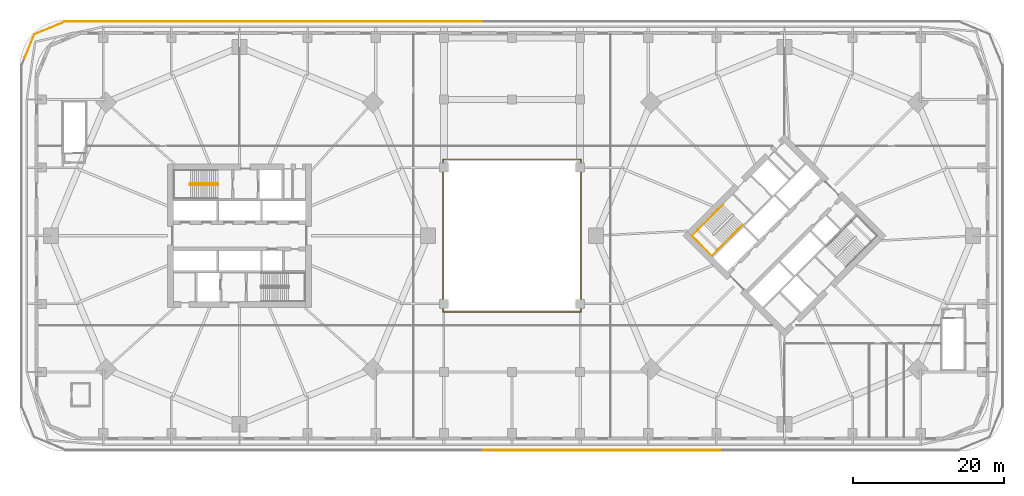
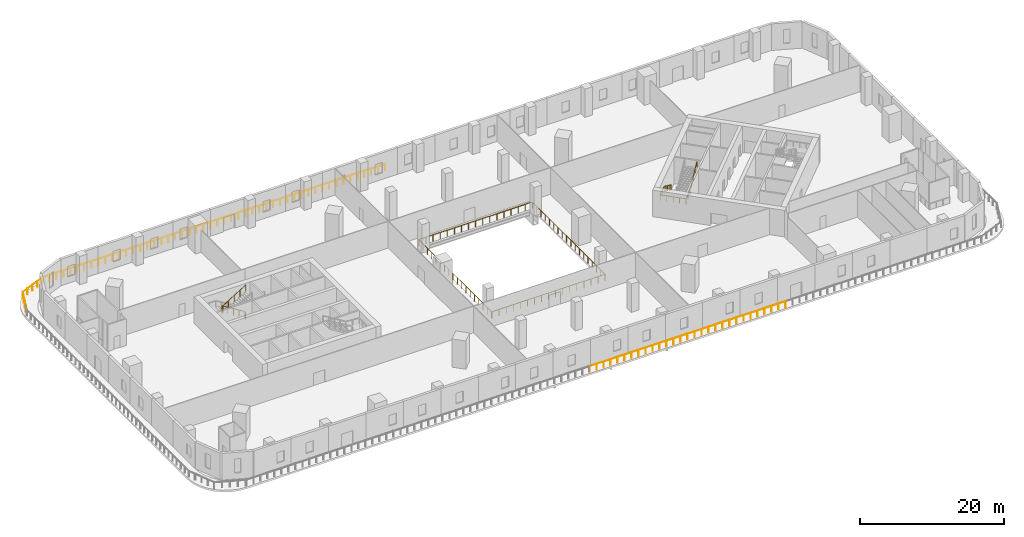
# One storey, part 14 of 16: 15 railings.
"""IFC4 building model written with IfcOpenShell, lengths in metres."""

from ifc_helpers import new_model, si_unit, direction, frame, origin, origin_2d, place, context, subcontext, project, spatial, circle, extrude, material, type_object, element, save


model = new_model("IFC4")

# Units and contexts
model_context = context("Model", 3, precision=1e-05, world=origin(), true_north=direction((0.0, 1.0)))
body_context = subcontext(model_context, "Body", "Model", "MODEL_VIEW")
ifc_project = project(units=[si_unit("LENGTHUNIT", "METRE"), si_unit("AREAUNIT", "SQUARE_METRE"), si_unit("VOLUMEUNIT", "CUBIC_METRE"), si_unit("PLANEANGLEUNIT", "RADIAN"), si_unit("MASSUNIT", "GRAM", prefix="KILO")], contexts=[model_context])

# Site, building, storey
site_placement = place(None, origin())
site = spatial("IfcSite", under=ifc_project, at=site_placement, CompositionType="ELEMENT")
building_placement = place(site_placement, origin())
building = spatial("IfcBuilding", under=site, at=building_placement, Name="Ogive Gate Towers", CompositionType="ELEMENT")
storey_placement = place(building_placement, frame((0.0, 0.0, 22.800048828125)))
storey = spatial("IfcBuildingStorey", under=building, at=storey_placement, Name="L04", CompositionType="ELEMENT", Elevation=22.800048828125)

# Railings
ifc_material_1 = material(Name="Stainless steel", Category="steel")
railing_type_1 = type_object("IfcRailingType", Name="Guard 1100", PredefinedType="GUARDRAIL", material=ifc_material_1)
for number, where, name in (
    (1, (-3.9873046875, 28.300048828125, 0.0), "Terrace guard"),
    (2, (-11.84619140625, 28.300048828125, 0.0), "Terrace guard"),
):
    element("IfcRailing", number, at=place(storey_placement, frame(where)), inside=storey, type_object=railing_type_1, Name=name, PredefinedType="GUARDRAIL", context=body_context, shape_type="SweptSolid", body=[
        extrude(circle(Radius=0.02392578125, at=origin_2d()), frame((0.0, 0.0, 1.076171875), z_axis=(-1.0, 0.0, 0.0), x_axis=(0.0, -1.0, 0.0)), (0.0, 0.0, 1.0), 7.808837890625),
        extrude(circle(Radius=0.02099609375, at=origin_2d()), origin(), (0.0, 0.0, 1.0), 1.052001953125),
        extrude(circle(Radius=0.02099609375, at=origin_2d()), frame((-1.115478515625, 0.0, 0.0)), (0.0, 0.0, 1.0), 1.052001953125),
        extrude(circle(Radius=0.02099609375, at=origin_2d()), frame((-2.231201171875, 0.0, 0.0)), (0.0, 0.0, 1.0), 1.052001953125),
        extrude(circle(Radius=0.02099609375, at=origin_2d()), frame((-3.3466796875, 0.0, 0.0)), (0.0, 0.0, 1.0), 1.052001953125),
        extrude(circle(Radius=0.02099609375, at=origin_2d()), frame((-4.462158203125, 0.0, 0.0)), (0.0, 0.0, 1.0), 1.052001953125),
        extrude(circle(Radius=0.02099609375, at=origin_2d()), frame((-5.57763671875, 0.0, 0.0)), (0.0, 0.0, 1.0), 1.052001953125),
        extrude(circle(Radius=0.02099609375, at=origin_2d()), frame((-6.693359375, 0.0, 0.0)), (0.0, 0.0, 1.0), 1.052001953125),
        extrude(circle(Radius=0.02099609375, at=origin_2d()), frame((-7.808837890625, 0.0, 0.0)), (0.0, 0.0, 1.0), 1.052001953125),
    ])
railing_1_placement = place(storey_placement, frame((-19.705078125, 28.300048828125, 0.0)))
element("IfcRailing", 3, at=railing_1_placement, inside=storey, type_object=railing_type_1, Name="Terrace guard", PredefinedType="GUARDRAIL", context=body_context, shape_type="SweptSolid", body=[
    extrude(circle(Radius=0.02392578125, at=origin_2d()), frame((0.0, 0.0, 1.076171875), z_axis=(-1.0, 0.0, 0.0), x_axis=(0.0, -1.0, 0.0)), (0.0, 0.0, 1.0), 7.80908203125),
    extrude(circle(Radius=0.02099609375, at=origin_2d()), origin(), (0.0, 0.0, 1.0), 1.052001953125),
    extrude(circle(Radius=0.02099609375, at=origin_2d()), frame((-1.115478515625, 0.0, 0.0)), (0.0, 0.0, 1.0), 1.052001953125),
    extrude(circle(Radius=0.02099609375, at=origin_2d()), frame((-2.231201171875, 0.0, 0.0)), (0.0, 0.0, 1.0), 1.052001953125),
    extrude(circle(Radius=0.02099609375, at=origin_2d()), frame((-3.3466796875, 0.0, 0.0)), (0.0, 0.0, 1.0), 1.052001953125),
    extrude(circle(Radius=0.02099609375, at=origin_2d()), frame((-4.46240234375, 0.0, 0.0)), (0.0, 0.0, 1.0), 1.052001953125),
    extrude(circle(Radius=0.02099609375, at=origin_2d()), frame((-5.577880859375, 0.0, 0.0)), (0.0, 0.0, 1.0), 1.052001953125),
    extrude(circle(Radius=0.02099609375, at=origin_2d()), frame((-6.693603515625, 0.0, 0.0)), (0.0, 0.0, 1.0), 1.052001953125),
    extrude(circle(Radius=0.02099609375, at=origin_2d()), frame((-7.80908203125, 0.0, 0.0)), (0.0, 0.0, 1.0), 1.052001953125),
])
for number, where, name in (
    (4, (-27.564208984375, 28.300048828125, 0.0), "Terrace guard"),
    (5, (-35.423095703125, 28.300048828125, 0.0), "Terrace guard"),
):
    element("IfcRailing", number, at=place(storey_placement, frame(where)), inside=storey, type_object=railing_type_1, Name=name, PredefinedType="GUARDRAIL", context=body_context, shape_type="SweptSolid", body=[
        extrude(circle(Radius=0.02392578125, at=origin_2d()), frame((0.0, 0.0, 1.076171875), z_axis=(-1.0, 0.0, 0.0), x_axis=(0.0, -1.0, 0.0)), (0.0, 0.0, 1.0), 7.808837890625),
        extrude(circle(Radius=0.02099609375, at=origin_2d()), origin(), (0.0, 0.0, 1.0), 1.052001953125),
        extrude(circle(Radius=0.02099609375, at=origin_2d()), frame((-1.115478515625, 0.0, 0.0)), (0.0, 0.0, 1.0), 1.052001953125),
        extrude(circle(Radius=0.02099609375, at=origin_2d()), frame((-2.231201171875, 0.0, 0.0)), (0.0, 0.0, 1.0), 1.052001953125),
        extrude(circle(Radius=0.02099609375, at=origin_2d()), frame((-3.3466796875, 0.0, 0.0)), (0.0, 0.0, 1.0), 1.052001953125),
        extrude(circle(Radius=0.02099609375, at=origin_2d()), frame((-4.462158203125, 0.0, 0.0)), (0.0, 0.0, 1.0), 1.052001953125),
        extrude(circle(Radius=0.02099609375, at=origin_2d()), frame((-5.57763671875, 0.0, 0.0)), (0.0, 0.0, 1.0), 1.052001953125),
        extrude(circle(Radius=0.02099609375, at=origin_2d()), frame((-6.693359375, 0.0, 0.0)), (0.0, 0.0, 1.0), 1.052001953125),
        extrude(circle(Radius=0.02099609375, at=origin_2d()), frame((-7.808837890625, 0.0, 0.0)), (0.0, 0.0, 1.0), 1.052001953125),
    ])
railing_2_placement = place(storey_placement, frame((-43.281982421875, 28.300048828125, 0.0)))
element("IfcRailing", 6, at=railing_2_placement, inside=storey, type_object=railing_type_1, Name="Terrace guard", PredefinedType="GUARDRAIL", context=body_context, shape_type="SweptSolid", body=[
    extrude(circle(Radius=0.02392578125, at=origin_2d()), frame((0.0, 0.0, 1.076171875), z_axis=(-1.0, 0.0, 0.0), x_axis=(0.0, -1.0, 0.0)), (0.0, 0.0, 1.0), 7.80908203125),
    extrude(circle(Radius=0.02099609375, at=origin_2d()), origin(), (0.0, 0.0, 1.0), 1.052001953125),
    extrude(circle(Radius=0.02099609375, at=origin_2d()), frame((-1.115478515625, 0.0, 0.0)), (0.0, 0.0, 1.0), 1.052001953125),
    extrude(circle(Radius=0.02099609375, at=origin_2d()), frame((-2.231201171875, 0.0, 0.0)), (0.0, 0.0, 1.0), 1.052001953125),
    extrude(circle(Radius=0.02099609375, at=origin_2d()), frame((-3.3466796875, 0.0, 0.0)), (0.0, 0.0, 1.0), 1.052001953125),
    extrude(circle(Radius=0.02099609375, at=origin_2d()), frame((-4.46240234375, 0.0, 0.0)), (0.0, 0.0, 1.0), 1.052001953125),
    extrude(circle(Radius=0.02099609375, at=origin_2d()), frame((-5.577880859375, 0.0, 0.0)), (0.0, 0.0, 1.0), 1.052001953125),
    extrude(circle(Radius=0.02099609375, at=origin_2d()), frame((-6.693603515625, 0.0, 0.0)), (0.0, 0.0, 1.0), 1.052001953125),
    extrude(circle(Radius=0.02099609375, at=origin_2d()), frame((-7.80908203125, 0.0, 0.0)), (0.0, 0.0, 1.0), 1.052001953125),
])
railing_3_placement = place(storey_placement, frame((-51.14111328125, 28.300048828125, 0.0)))
element("IfcRailing", 7, at=railing_3_placement, inside=storey, type_object=railing_type_1, Name="Terrace guard", PredefinedType="GUARDRAIL", context=body_context, shape_type="SweptSolid", body=[
    extrude(circle(Radius=0.02392578125, at=origin_2d()), frame((0.0, 0.0, 1.076171875), z_axis=(-1.0, 0.0, 0.0), x_axis=(0.0, -1.0, 0.0)), (0.0, 0.0, 1.0), 7.808837890625),
    extrude(circle(Radius=0.02099609375, at=origin_2d()), origin(), (0.0, 0.0, 1.0), 1.052001953125),
    extrude(circle(Radius=0.02099609375, at=origin_2d()), frame((-1.115478515625, 0.0, 0.0)), (0.0, 0.0, 1.0), 1.052001953125),
    extrude(circle(Radius=0.02099609375, at=origin_2d()), frame((-2.231201171875, 0.0, 0.0)), (0.0, 0.0, 1.0), 1.052001953125),
    extrude(circle(Radius=0.02099609375, at=origin_2d()), frame((-3.3466796875, 0.0, 0.0)), (0.0, 0.0, 1.0), 1.052001953125),
    extrude(circle(Radius=0.02099609375, at=origin_2d()), frame((-4.462158203125, 0.0, 0.0)), (0.0, 0.0, 1.0), 1.052001953125),
    extrude(circle(Radius=0.02099609375, at=origin_2d()), frame((-5.57763671875, 0.0, 0.0)), (0.0, 0.0, 1.0), 1.052001953125),
    extrude(circle(Radius=0.02099609375, at=origin_2d()), frame((-6.693359375, 0.0, 0.0)), (0.0, 0.0, 1.0), 1.052001953125),
    extrude(circle(Radius=0.02099609375, at=origin_2d()), frame((-7.808837890625, 0.0, 0.0)), (0.0, 0.0, 1.0), 1.052001953125),
])
railing_4_placement = place(storey_placement, frame((-59.0, 28.300048828125, 0.0)))
element("IfcRailing", 8, at=railing_4_placement, inside=storey, type_object=railing_type_1, Name="Terrace guard", PredefinedType="GUARDRAIL", context=body_context, shape_type="SweptSolid", body=[
    extrude(circle(Radius=0.02392578125, at=origin_2d()), frame((0.0, 0.0, 1.076171875), z_axis=(-0.923886797369, -0.382665892976, 0.0), x_axis=(0.382665892976, -0.923886797369, 0.0)), (0.0, 0.0, 1.0), 4.439208984375),
    extrude(circle(Radius=0.02392578125, at=origin_2d()), frame((-4.101318359375, -1.69873046875, 1.076171875), z_axis=(-0.382654643892, -0.923891456562, 0.0), x_axis=(0.923891456562, -0.382654643892, 0.0)), (0.0, 0.0, 1.0), 3.3701171875),
    extrude(circle(Radius=0.02099609375, at=origin_2d()), origin(), (0.0, 0.0, 1.0), 1.052001953125),
    extrude(circle(Radius=0.02099609375, at=origin_2d()), frame((-1.025390625, -0.4248046875, 0.0)), (0.0, 0.0, 1.0), 1.052001953125),
    extrude(circle(Radius=0.02099609375, at=origin_2d()), frame((-2.05078125, -0.849365234375, 0.0)), (0.0, 0.0, 1.0), 1.052001953125),
    extrude(circle(Radius=0.02099609375, at=origin_2d()), frame((-3.075927734375, -1.27392578125, 0.0)), (0.0, 0.0, 1.0), 1.052001953125),
    extrude(circle(Radius=0.02099609375, at=origin_2d()), frame((-4.101318359375, -1.69873046875, 0.0)), (0.0, 0.0, 1.0), 1.052001953125),
    extrude(circle(Radius=0.02099609375, at=origin_2d()), frame((-4.53125, -2.736572265625, 0.0)), (0.0, 0.0, 1.0), 1.052001953125),
    extrude(circle(Radius=0.02099609375, at=origin_2d()), frame((-4.9609375, -3.7744140625, 0.0)), (0.0, 0.0, 1.0), 1.052001953125),
    extrude(circle(Radius=0.02099609375, at=origin_2d()), frame((-5.390869140625, -4.812255859375, 0.0)), (0.0, 0.0, 1.0), 1.052001953125),
])
railing_5_placement = place(storey_placement, frame((-3.871826171875, -28.300048828125, 0.0)))
element("IfcRailing", 9, at=railing_5_placement, inside=storey, type_object=railing_type_1, Name="Terrace guard", PredefinedType="GUARDRAIL", context=body_context, shape_type="SweptSolid", body=[
    extrude(circle(Radius=0.02392578125, at=origin_2d()), frame((0.0, 0.0, 1.076171875), z_axis=(1.0, 0.0, 0.0), x_axis=(0.0, 1.0, 0.0)), (0.0, 0.0, 1.0), 7.80908203125),
    extrude(circle(Radius=0.02099609375, at=origin_2d()), origin(), (0.0, 0.0, 1.0), 1.052001953125),
    extrude(circle(Radius=0.02099609375, at=origin_2d()), frame((1.115478515625, 0.0, 0.0)), (0.0, 0.0, 1.0), 1.052001953125),
    extrude(circle(Radius=0.02099609375, at=origin_2d()), frame((2.231201171875, 0.0, 0.0)), (0.0, 0.0, 1.0), 1.052001953125),
    extrude(circle(Radius=0.02099609375, at=origin_2d()), frame((3.3466796875, 0.0, 0.0)), (0.0, 0.0, 1.0), 1.052001953125),
    extrude(circle(Radius=0.02099609375, at=origin_2d()), frame((4.46240234375, 0.0, 0.0)), (0.0, 0.0, 1.0), 1.052001953125),
    extrude(circle(Radius=0.02099609375, at=origin_2d()), frame((5.577880859375, 0.0, 0.0)), (0.0, 0.0, 1.0), 1.052001953125),
    extrude(circle(Radius=0.02099609375, at=origin_2d()), frame((6.693603515625, 0.0, 0.0)), (0.0, 0.0, 1.0), 1.052001953125),
    extrude(circle(Radius=0.02099609375, at=origin_2d()), frame((7.80908203125, 0.0, 0.0)), (0.0, 0.0, 1.0), 1.052001953125),
])
for number, where, name in (
    (10, (3.9873046875, -28.300048828125, 0.0), "Terrace guard"),
    (11, (11.84619140625, -28.300048828125, 0.0), "Terrace guard"),
):
    element("IfcRailing", number, at=place(storey_placement, frame(where)), inside=storey, type_object=railing_type_1, Name=name, PredefinedType="GUARDRAIL", context=body_context, shape_type="SweptSolid", body=[
        extrude(circle(Radius=0.02392578125, at=origin_2d()), frame((0.0, 0.0, 1.076171875), z_axis=(1.0, 0.0, 0.0), x_axis=(0.0, 1.0, 0.0)), (0.0, 0.0, 1.0), 7.808837890625),
        extrude(circle(Radius=0.02099609375, at=origin_2d()), origin(), (0.0, 0.0, 1.0), 1.052001953125),
        extrude(circle(Radius=0.02099609375, at=origin_2d()), frame((1.115478515625, 0.0, 0.0)), (0.0, 0.0, 1.0), 1.052001953125),
        extrude(circle(Radius=0.02099609375, at=origin_2d()), frame((2.231201171875, 0.0, 0.0)), (0.0, 0.0, 1.0), 1.052001953125),
        extrude(circle(Radius=0.02099609375, at=origin_2d()), frame((3.3466796875, 0.0, 0.0)), (0.0, 0.0, 1.0), 1.052001953125),
        extrude(circle(Radius=0.02099609375, at=origin_2d()), frame((4.462158203125, 0.0, 0.0)), (0.0, 0.0, 1.0), 1.052001953125),
        extrude(circle(Radius=0.02099609375, at=origin_2d()), frame((5.57763671875, 0.0, 0.0)), (0.0, 0.0, 1.0), 1.052001953125),
        extrude(circle(Radius=0.02099609375, at=origin_2d()), frame((6.693359375, 0.0, 0.0)), (0.0, 0.0, 1.0), 1.052001953125),
        extrude(circle(Radius=0.02099609375, at=origin_2d()), frame((7.808837890625, 0.0, 0.0)), (0.0, 0.0, 1.0), 1.052001953125),
    ])
railing_6_placement = place(storey_placement, frame((19.705078125, -28.300048828125, 0.0)))
element("IfcRailing", 12, at=railing_6_placement, inside=storey, type_object=railing_type_1, Name="Terrace guard", PredefinedType="GUARDRAIL", context=body_context, shape_type="SweptSolid", body=[
    extrude(circle(Radius=0.02392578125, at=origin_2d()), frame((0.0, 0.0, 1.076171875), z_axis=(1.0, 0.0, 0.0), x_axis=(0.0, 1.0, 0.0)), (0.0, 0.0, 1.0), 7.80908203125),
    extrude(circle(Radius=0.02099609375, at=origin_2d()), origin(), (0.0, 0.0, 1.0), 1.052001953125),
    extrude(circle(Radius=0.02099609375, at=origin_2d()), frame((1.115478515625, 0.0, 0.0)), (0.0, 0.0, 1.0), 1.052001953125),
    extrude(circle(Radius=0.02099609375, at=origin_2d()), frame((2.231201171875, 0.0, 0.0)), (0.0, 0.0, 1.0), 1.052001953125),
    extrude(circle(Radius=0.02099609375, at=origin_2d()), frame((3.3466796875, 0.0, 0.0)), (0.0, 0.0, 1.0), 1.052001953125),
    extrude(circle(Radius=0.02099609375, at=origin_2d()), frame((4.46240234375, 0.0, 0.0)), (0.0, 0.0, 1.0), 1.052001953125),
    extrude(circle(Radius=0.02099609375, at=origin_2d()), frame((5.577880859375, 0.0, 0.0)), (0.0, 0.0, 1.0), 1.052001953125),
    extrude(circle(Radius=0.02099609375, at=origin_2d()), frame((6.693603515625, 0.0, 0.0)), (0.0, 0.0, 1.0), 1.052001953125),
    extrude(circle(Radius=0.02099609375, at=origin_2d()), frame((7.80908203125, 0.0, 0.0)), (0.0, 0.0, 1.0), 1.052001953125),
])
railing_type_2 = type_object("IfcRailingType", Name="Stair guard 1100", PredefinedType="GUARDRAIL", material=ifc_material_1)
railing_7_placement = place(storey_placement, frame((-38.81494140625, 6.860107421875, 0.0)))
element("IfcRailing", 13, at=railing_7_placement, inside=storey, type_object=railing_type_2, Name="L04 ST1 stair guard 1", PredefinedType="GUARDRAIL", context=body_context, shape_type="SweptSolid", body=[
    extrude(circle(Radius=0.02392578125, at=origin_2d()), frame((0.0, 0.0, 1.076171875), z_axis=(0.0, -1.0, 0.0), x_axis=(1.0, 0.0, 0.0)), (0.0, 0.0, 1.0), 0.14501953125),
    extrude(circle(Radius=0.02392578125, at=origin_2d()), frame((0.0, -0.14501953125, 1.076171875), z_axis=(-0.189390444499, 0.737236949804, 0.648546790429), x_axis=(-0.968551454522, -0.24881334358, 0.0)), (0.0, 0.0, 1.0), 0.26416015625),
    extrude(circle(Radius=0.02392578125, at=origin_2d()), frame((-0.050048828125, 0.0498046875, 1.24755859375), z_axis=(-0.852850264322, 0.0, 0.5221555579), x_axis=(0.0, -1.0, 0.0)), (0.0, 0.0, 1.0), 4.267822265625),
    extrude(circle(Radius=0.02392578125, at=origin_2d()), frame((-3.68994140625, 0.0498046875, 3.47607421875), z_axis=(-0.708833529934, -0.705375805398, 0.0), x_axis=(0.705375805398, -0.708833529934, 0.0)), (0.0, 0.0, 1.0), 0.070556640625),
    extrude(circle(Radius=0.02392578125, at=origin_2d()), frame((-3.739990234375, 0.0, 3.47607421875), z_axis=(0.0, -1.0, 0.0), x_axis=(1.0, 0.0, 0.0)), (0.0, 0.0, 1.0), 0.14501953125),
    extrude(circle(Radius=0.02392578125, at=origin_2d()), frame((-3.739990234375, -0.14501953125, 3.47607421875), z_axis=(0.269911200495, -0.269911200495, 0.924281281696), x_axis=(0.707106781187, 0.707106781187, 0.0)), (0.0, 0.0, 1.0), 0.185546875),
    extrude(circle(Radius=0.02392578125, at=origin_2d()), frame((-3.68994140625, -0.195068359375, 3.6474609375), z_axis=(0.852824790078, 0.0, 0.522197163366), x_axis=(0.0, 1.0, 0.0)), (0.0, 0.0, 1.0), 4.26806640625),
    extrude(circle(Radius=0.02099609375, at=origin_2d()), origin(), (0.0, 0.0, 1.0), 1.052001953125),
    extrude(circle(Radius=0.02099609375, at=origin_2d()), frame((0.0, -0.14501953125, 0.0)), (0.0, 0.0, 1.0), 1.052001953125),
    extrude(circle(Radius=0.02099609375, at=origin_2d()), frame((-0.050048828125, 0.0498046875, 0.17138671875)), (0.0, 0.0, 1.0), 1.052001953125),
    extrude(circle(Radius=0.02099609375, at=origin_2d()), frame((-0.9599609375, 0.0498046875, 0.728515625)), (0.0, 0.0, 1.0), 1.052001953125),
    extrude(circle(Radius=0.02099609375, at=origin_2d()), frame((-1.8701171875, 0.0498046875, 1.28564453125)), (0.0, 0.0, 1.0), 1.052001953125),
    extrude(circle(Radius=0.02099609375, at=origin_2d()), frame((-2.780029296875, 0.0498046875, 1.8427734375)), (0.0, 0.0, 1.0), 1.052001953125),
    extrude(circle(Radius=0.02099609375, at=origin_2d()), frame((-3.68994140625, 0.0498046875, 2.39990234375)), (0.0, 0.0, 1.0), 1.052001953125),
    extrude(circle(Radius=0.02099609375, at=origin_2d()), frame((-3.739990234375, 0.0, 2.39990234375)), (0.0, 0.0, 1.0), 1.052001953125),
    extrude(circle(Radius=0.02099609375, at=origin_2d()), frame((-3.739990234375, -0.14501953125, 2.39990234375)), (0.0, 0.0, 1.0), 1.052001953125),
    extrude(circle(Radius=0.02099609375, at=origin_2d()), frame((-3.68994140625, -0.195068359375, 2.5712890625)), (0.0, 0.0, 1.0), 1.052001953125),
    extrude(circle(Radius=0.02099609375, at=origin_2d()), frame((-2.780029296875, -0.195068359375, 3.12841796875)), (0.0, 0.0, 1.0), 1.052001953125),
    extrude(circle(Radius=0.02099609375, at=origin_2d()), frame((-1.8701171875, -0.195068359375, 3.685546875)), (0.0, 0.0, 1.0), 1.052001953125),
    extrude(circle(Radius=0.02099609375, at=origin_2d()), frame((-0.9599609375, -0.195068359375, 4.242919921875)), (0.0, 0.0, 1.0), 1.052001953125),
    extrude(circle(Radius=0.02099609375, at=origin_2d()), frame((-0.050048828125, -0.195068359375, 4.800048828125)), (0.0, 0.0, 1.0), 1.052001953125),
])
railing_type_3 = type_object("IfcRailingType", Name="Stair handrail 900", PredefinedType="HANDRAIL", material=ifc_material_1)
railing_8_placement = place(storey_placement, frame((27.857666015625, 4.090576171875, 0.17138671875)))
element("IfcRailing", 14, at=railing_8_placement, inside=storey, type_object=railing_type_3, Name="L04 ST1 stair handrail 1", PredefinedType="HANDRAIL", context=body_context, shape_type="SweptSolid", body=[
    extrude(circle(Radius=0.02392578125, at=origin_2d()), frame((0.0, 0.0, 0.8759765625), z_axis=(-0.60308862713, -0.603031424376, 0.522146731333), x_axis=(0.707073244381, -0.707140316402, 0.0)), (0.0, 0.0, 1.0), 4.26806640625),
    extrude(circle(Radius=0.02392578125, at=origin_2d()), frame((-2.573974609375, -2.57373046875, 3.1044921875), z_axis=(-0.707049868894, -0.707163688899, 0.0), x_axis=(0.707163688899, -0.707049868894, 0.0)), (0.0, 0.0, 1.0), 2.14501953125),
    extrude(circle(Radius=0.02392578125, at=origin_2d()), frame((-4.090576171875, -4.090576171875, 3.1044921875), z_axis=(0.707106781187, -0.707106781187, 0.0), x_axis=(0.707106781187, 0.707106781187, 0.0)), (0.0, 0.0, 1.0), 3.72509765625),
    extrude(circle(Radius=0.02392578125, at=origin_2d()), frame((-1.45654296875, -6.724609375, 3.1044921875), z_axis=(0.704803619142, 0.704917077548, 0.079647801133), x_axis=(-0.707163688899, 0.707049868894, 0.0)), (0.0, 0.0, 1.0), 2.15185546875),
    extrude(circle(Radius=0.02392578125, at=origin_2d()), frame((0.06005859375, -5.207763671875, 3.27587890625), z_axis=(0.60307061376, 0.603013412715, 0.522188336623), x_axis=(-0.707073244381, 0.707140316402, 0.0)), (0.0, 0.0, 1.0), 4.26806640625),
    extrude(circle(Radius=0.02099609375, at=origin_2d()), origin(), (0.0, 0.0, 1.0), 0.851806640625),
    extrude(circle(Radius=0.02099609375, at=origin_2d()), frame((-0.6435546875, -0.6435546875, 0.55712890625)), (0.0, 0.0, 1.0), 0.851806640625),
    extrude(circle(Radius=0.02099609375, at=origin_2d()), frame((-1.287109375, -1.286865234375, 1.1142578125)), (0.0, 0.0, 1.0), 0.851806640625),
    extrude(circle(Radius=0.02099609375, at=origin_2d()), frame((-1.930419921875, -1.93017578125, 1.67138671875)), (0.0, 0.0, 1.0), 0.851806640625),
    extrude(circle(Radius=0.02099609375, at=origin_2d()), frame((-2.573974609375, -2.57373046875, 2.228515625)), (0.0, 0.0, 1.0), 0.851806640625),
    extrude(circle(Radius=0.02099609375, at=origin_2d()), frame((-3.332275390625, -3.33203125, 2.228515625)), (0.0, 0.0, 1.0), 0.851806640625),
    extrude(circle(Radius=0.02099609375, at=origin_2d()), frame((-4.090576171875, -4.090576171875, 2.228515625)), (0.0, 0.0, 1.0), 0.851806640625),
    extrude(circle(Radius=0.02099609375, at=origin_2d()), frame((-3.43212890625, -4.7490234375, 2.228515625)), (0.0, 0.0, 1.0), 0.851806640625),
    extrude(circle(Radius=0.02099609375, at=origin_2d()), frame((-2.7734375, -5.40771484375, 2.228515625)), (0.0, 0.0, 1.0), 0.851806640625),
    extrude(circle(Radius=0.02099609375, at=origin_2d()), frame((-2.114990234375, -6.066162109375, 2.228515625)), (0.0, 0.0, 1.0), 0.851806640625),
    extrude(circle(Radius=0.02099609375, at=origin_2d()), frame((-1.45654296875, -6.724609375, 2.228515625)), (0.0, 0.0, 1.0), 0.851806640625),
    extrude(circle(Radius=0.02099609375, at=origin_2d()), frame((-0.6982421875, -5.96630859375, 2.314208984375)), (0.0, 0.0, 1.0), 0.851806640625),
    extrude(circle(Radius=0.02099609375, at=origin_2d()), frame((0.06005859375, -5.207763671875, 2.39990234375)), (0.0, 0.0, 1.0), 0.851806640625),
    extrude(circle(Radius=0.02099609375, at=origin_2d()), frame((0.70361328125, -4.564453125, 2.95703125)), (0.0, 0.0, 1.0), 0.851806640625),
    extrude(circle(Radius=0.02099609375, at=origin_2d()), frame((1.34716796875, -3.9208984375, 3.51416015625)), (0.0, 0.0, 1.0), 0.851806640625),
    extrude(circle(Radius=0.02099609375, at=origin_2d()), frame((1.990478515625, -3.27734375, 4.071533203125)), (0.0, 0.0, 1.0), 0.851806640625),
    extrude(circle(Radius=0.02099609375, at=origin_2d()), frame((2.634033203125, -2.634033203125, 4.628662109375)), (0.0, 0.0, 1.0), 0.851806640625),
])
ifc_material_2 = material(Name="Steel and glass guard", Category="steel")
railing_type_4 = type_object("IfcRailingType", Name="Void guard 1100", PredefinedType="GUARDRAIL", material=ifc_material_2)
railing_9_placement = place(storey_placement, frame((-9.10009765625, -10.10009765625, 0.0)))
element("IfcRailing", 15, at=railing_9_placement, inside=storey, type_object=railing_type_4, Name="L04 nave guard", PredefinedType="GUARDRAIL", context=body_context, shape_type="SweptSolid", body=[
    extrude(circle(Radius=0.02392578125, at=origin_2d()), frame((0.0, 0.0, 1.076171875), z_axis=(0.0, 1.0, 0.0), x_axis=(-1.0, 0.0, 0.0)), (0.0, 0.0, 1.0), 20.2001953125),
    extrude(circle(Radius=0.02392578125, at=origin_2d()), frame((0.0, 20.2001953125, 1.076171875), z_axis=(1.0, 0.0, 0.0), x_axis=(0.0, 1.0, 0.0)), (0.0, 0.0, 1.0), 18.2001953125),
    extrude(circle(Radius=0.02392578125, at=origin_2d()), frame((18.2001953125, 20.2001953125, 1.076171875), z_axis=(0.0, -1.0, 0.0), x_axis=(1.0, 0.0, 0.0)), (0.0, 0.0, 1.0), 20.2001953125),
    extrude(circle(Radius=0.02392578125, at=origin_2d()), frame((18.2001953125, 0.0, 1.076171875), z_axis=(-1.0, 0.0, 0.0), x_axis=(0.0, -1.0, 0.0)), (0.0, 0.0, 1.0), 18.130126953125),
    extrude(circle(Radius=0.02099609375, at=origin_2d()), origin(), (0.0, 0.0, 1.0), 1.052001953125),
    extrude(circle(Radius=0.02099609375, at=origin_2d()), frame((0.0, 1.188232421875, 0.0)), (0.0, 0.0, 1.0), 1.052001953125),
    extrude(circle(Radius=0.02099609375, at=origin_2d()), frame((0.0, 2.37646484375, 0.0)), (0.0, 0.0, 1.0), 1.052001953125),
    extrude(circle(Radius=0.02099609375, at=origin_2d()), frame((0.0, 3.564697265625, 0.0)), (0.0, 0.0, 1.0), 1.052001953125),
    extrude(circle(Radius=0.02099609375, at=origin_2d()), frame((0.0, 4.7529296875, 0.0)), (0.0, 0.0, 1.0), 1.052001953125),
    extrude(circle(Radius=0.02099609375, at=origin_2d()), frame((0.0, 5.941162109375, 0.0)), (0.0, 0.0, 1.0), 1.052001953125),
    extrude(circle(Radius=0.02099609375, at=origin_2d()), frame((0.0, 7.12939453125, 0.0)), (0.0, 0.0, 1.0), 1.052001953125),
    extrude(circle(Radius=0.02099609375, at=origin_2d()), frame((0.0, 8.317626953125, 0.0)), (0.0, 0.0, 1.0), 1.052001953125),
    extrude(circle(Radius=0.02099609375, at=origin_2d()), frame((0.0, 9.505859375, 0.0)), (0.0, 0.0, 1.0), 1.052001953125),
    extrude(circle(Radius=0.02099609375, at=origin_2d()), frame((0.0, 10.6943359375, 0.0)), (0.0, 0.0, 1.0), 1.052001953125),
    extrude(circle(Radius=0.02099609375, at=origin_2d()), frame((0.0, 11.882568359375, 0.0)), (0.0, 0.0, 1.0), 1.052001953125),
    extrude(circle(Radius=0.02099609375, at=origin_2d()), frame((0.0, 13.07080078125, 0.0)), (0.0, 0.0, 1.0), 1.052001953125),
    extrude(circle(Radius=0.02099609375, at=origin_2d()), frame((0.0, 14.259033203125, 0.0)), (0.0, 0.0, 1.0), 1.052001953125),
    extrude(circle(Radius=0.02099609375, at=origin_2d()), frame((0.0, 15.447265625, 0.0)), (0.0, 0.0, 1.0), 1.052001953125),
    extrude(circle(Radius=0.02099609375, at=origin_2d()), frame((0.0, 16.635498046875, 0.0)), (0.0, 0.0, 1.0), 1.052001953125),
    extrude(circle(Radius=0.02099609375, at=origin_2d()), frame((0.0, 17.82373046875, 0.0)), (0.0, 0.0, 1.0), 1.052001953125),
    extrude(circle(Radius=0.02099609375, at=origin_2d()), frame((0.0, 19.011962890625, 0.0)), (0.0, 0.0, 1.0), 1.052001953125),
    extrude(circle(Radius=0.02099609375, at=origin_2d()), frame((0.0, 20.2001953125, 0.0)), (0.0, 0.0, 1.0), 1.052001953125),
    extrude(circle(Radius=0.02099609375, at=origin_2d()), frame((1.137451171875, 20.2001953125, 0.0)), (0.0, 0.0, 1.0), 1.052001953125),
    extrude(circle(Radius=0.02099609375, at=origin_2d()), frame((2.27490234375, 20.2001953125, 0.0)), (0.0, 0.0, 1.0), 1.052001953125),
    extrude(circle(Radius=0.02099609375, at=origin_2d()), frame((3.41259765625, 20.2001953125, 0.0)), (0.0, 0.0, 1.0), 1.052001953125),
    extrude(circle(Radius=0.02099609375, at=origin_2d()), frame((4.550048828125, 20.2001953125, 0.0)), (0.0, 0.0, 1.0), 1.052001953125),
    extrude(circle(Radius=0.02099609375, at=origin_2d()), frame((5.6875, 20.2001953125, 0.0)), (0.0, 0.0, 1.0), 1.052001953125),
    extrude(circle(Radius=0.02099609375, at=origin_2d()), frame((6.8251953125, 20.2001953125, 0.0)), (0.0, 0.0, 1.0), 1.052001953125),
    extrude(circle(Radius=0.02099609375, at=origin_2d()), frame((7.962646484375, 20.2001953125, 0.0)), (0.0, 0.0, 1.0), 1.052001953125),
    extrude(circle(Radius=0.02099609375, at=origin_2d()), frame((9.10009765625, 20.2001953125, 0.0)), (0.0, 0.0, 1.0), 1.052001953125),
    extrude(circle(Radius=0.02099609375, at=origin_2d()), frame((10.237548828125, 20.2001953125, 0.0)), (0.0, 0.0, 1.0), 1.052001953125),
    extrude(circle(Radius=0.02099609375, at=origin_2d()), frame((11.375, 20.2001953125, 0.0)), (0.0, 0.0, 1.0), 1.052001953125),
    extrude(circle(Radius=0.02099609375, at=origin_2d()), frame((12.5126953125, 20.2001953125, 0.0)), (0.0, 0.0, 1.0), 1.052001953125),
    extrude(circle(Radius=0.02099609375, at=origin_2d()), frame((13.650146484375, 20.2001953125, 0.0)), (0.0, 0.0, 1.0), 1.052001953125),
    extrude(circle(Radius=0.02099609375, at=origin_2d()), frame((14.78759765625, 20.2001953125, 0.0)), (0.0, 0.0, 1.0), 1.052001953125),
    extrude(circle(Radius=0.02099609375, at=origin_2d()), frame((15.92529296875, 20.2001953125, 0.0)), (0.0, 0.0, 1.0), 1.052001953125),
    extrude(circle(Radius=0.02099609375, at=origin_2d()), frame((17.062744140625, 20.2001953125, 0.0)), (0.0, 0.0, 1.0), 1.052001953125),
    extrude(circle(Radius=0.02099609375, at=origin_2d()), frame((18.2001953125, 20.2001953125, 0.0)), (0.0, 0.0, 1.0), 1.052001953125),
    extrude(circle(Radius=0.02099609375, at=origin_2d()), frame((18.2001953125, 19.011962890625, 0.0)), (0.0, 0.0, 1.0), 1.052001953125),
    extrude(circle(Radius=0.02099609375, at=origin_2d()), frame((18.2001953125, 17.82373046875, 0.0)), (0.0, 0.0, 1.0), 1.052001953125),
    extrude(circle(Radius=0.02099609375, at=origin_2d()), frame((18.2001953125, 16.635498046875, 0.0)), (0.0, 0.0, 1.0), 1.052001953125),
    extrude(circle(Radius=0.02099609375, at=origin_2d()), frame((18.2001953125, 15.447265625, 0.0)), (0.0, 0.0, 1.0), 1.052001953125),
    extrude(circle(Radius=0.02099609375, at=origin_2d()), frame((18.2001953125, 14.259033203125, 0.0)), (0.0, 0.0, 1.0), 1.052001953125),
    extrude(circle(Radius=0.02099609375, at=origin_2d()), frame((18.2001953125, 13.07080078125, 0.0)), (0.0, 0.0, 1.0), 1.052001953125),
    extrude(circle(Radius=0.02099609375, at=origin_2d()), frame((18.2001953125, 11.882568359375, 0.0)), (0.0, 0.0, 1.0), 1.052001953125),
    extrude(circle(Radius=0.02099609375, at=origin_2d()), frame((18.2001953125, 10.6943359375, 0.0)), (0.0, 0.0, 1.0), 1.052001953125),
    extrude(circle(Radius=0.02099609375, at=origin_2d()), frame((18.2001953125, 9.505859375, 0.0)), (0.0, 0.0, 1.0), 1.052001953125),
    extrude(circle(Radius=0.02099609375, at=origin_2d()), frame((18.2001953125, 8.317626953125, 0.0)), (0.0, 0.0, 1.0), 1.052001953125),
    extrude(circle(Radius=0.02099609375, at=origin_2d()), frame((18.2001953125, 7.12939453125, 0.0)), (0.0, 0.0, 1.0), 1.052001953125),
    extrude(circle(Radius=0.02099609375, at=origin_2d()), frame((18.2001953125, 5.941162109375, 0.0)), (0.0, 0.0, 1.0), 1.052001953125),
    extrude(circle(Radius=0.02099609375, at=origin_2d()), frame((18.2001953125, 4.7529296875, 0.0)), (0.0, 0.0, 1.0), 1.052001953125),
    extrude(circle(Radius=0.02099609375, at=origin_2d()), frame((18.2001953125, 3.564697265625, 0.0)), (0.0, 0.0, 1.0), 1.052001953125),
    extrude(circle(Radius=0.02099609375, at=origin_2d()), frame((18.2001953125, 2.37646484375, 0.0)), (0.0, 0.0, 1.0), 1.052001953125),
    extrude(circle(Radius=0.02099609375, at=origin_2d()), frame((18.2001953125, 1.188232421875, 0.0)), (0.0, 0.0, 1.0), 1.052001953125),
    extrude(circle(Radius=0.02099609375, at=origin_2d()), frame((18.2001953125, 0.0, 0.0)), (0.0, 0.0, 1.0), 1.052001953125),
    extrude(circle(Radius=0.02099609375, at=origin_2d()), frame((17.067138671875, 0.0, 0.0)), (0.0, 0.0, 1.0), 1.052001953125),
    extrude(circle(Radius=0.02099609375, at=origin_2d()), frame((15.933837890625, 0.0, 0.0)), (0.0, 0.0, 1.0), 1.052001953125),
    extrude(circle(Radius=0.02099609375, at=origin_2d()), frame((14.80078125, 0.0, 0.0)), (0.0, 0.0, 1.0), 1.052001953125),
    extrude(circle(Radius=0.02099609375, at=origin_2d()), frame((13.667724609375, 0.0, 0.0)), (0.0, 0.0, 1.0), 1.052001953125),
    extrude(circle(Radius=0.02099609375, at=origin_2d()), frame((12.534423828125, 0.0, 0.0)), (0.0, 0.0, 1.0), 1.052001953125),
    extrude(circle(Radius=0.02099609375, at=origin_2d()), frame((11.4013671875, 0.0, 0.0)), (0.0, 0.0, 1.0), 1.052001953125),
    extrude(circle(Radius=0.02099609375, at=origin_2d()), frame((10.268310546875, 0.0, 0.0)), (0.0, 0.0, 1.0), 1.052001953125),
    extrude(circle(Radius=0.02099609375, at=origin_2d()), frame((9.13525390625, 0.0, 0.0)), (0.0, 0.0, 1.0), 1.052001953125),
    extrude(circle(Radius=0.02099609375, at=origin_2d()), frame((8.001953125, 0.0, 0.0)), (0.0, 0.0, 1.0), 1.052001953125),
    extrude(circle(Radius=0.02099609375, at=origin_2d()), frame((6.868896484375, 0.0, 0.0)), (0.0, 0.0, 1.0), 1.052001953125),
    extrude(circle(Radius=0.02099609375, at=origin_2d()), frame((5.73583984375, 0.0, 0.0)), (0.0, 0.0, 1.0), 1.052001953125),
    extrude(circle(Radius=0.02099609375, at=origin_2d()), frame((4.6025390625, 0.0, 0.0)), (0.0, 0.0, 1.0), 1.052001953125),
    extrude(circle(Radius=0.02099609375, at=origin_2d()), frame((3.469482421875, 0.0, 0.0)), (0.0, 0.0, 1.0), 1.052001953125),
    extrude(circle(Radius=0.02099609375, at=origin_2d()), frame((2.33642578125, 0.0, 0.0)), (0.0, 0.0, 1.0), 1.052001953125),
    extrude(circle(Radius=0.02099609375, at=origin_2d()), frame((1.203125, 0.0, 0.0)), (0.0, 0.0, 1.0), 1.052001953125),
    extrude(circle(Radius=0.02099609375, at=origin_2d()), frame((0.070068359375, 0.0, 0.0)), (0.0, 0.0, 1.0), 1.052001953125),
])

save(model, "model.ifc")
